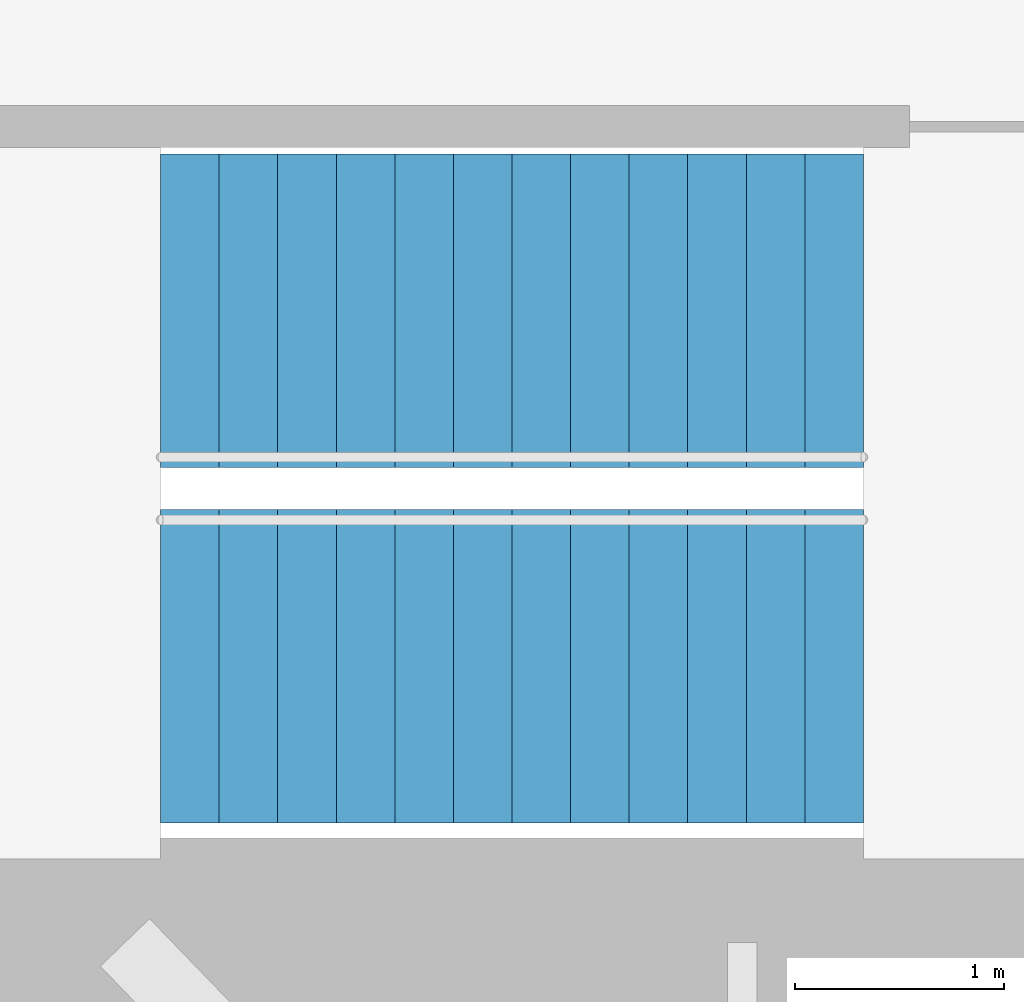
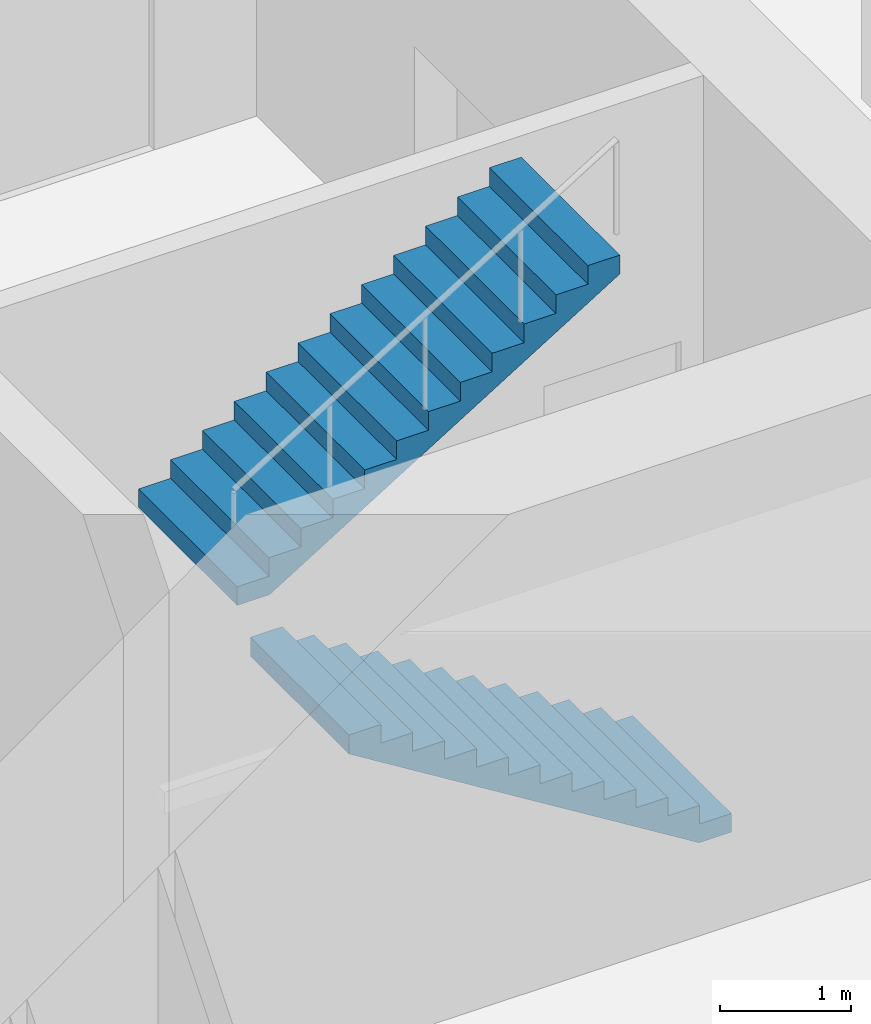
# One storey, part 14 of 15: 2 stair flights, 1 element without a shape of its own.
"""IFC4 building model written with IfcOpenShell, lengths in metres."""

from ifc_helpers import new_model, si_unit, direction, frame, origin, place, context, subcontext, project, spatial, triangles, material, type_object, element, aggregate, save


model = new_model("IFC4")

# Units and contexts
model_context = context("Model", 3, precision=1e-05, world=origin(), true_north=direction((0.0, 1.0)))
body_context = subcontext(model_context, "Body", "Model", "MODEL_VIEW")
ifc_project = project(units=[si_unit("LENGTHUNIT", "METRE"), si_unit("AREAUNIT", "SQUARE_METRE"), si_unit("VOLUMEUNIT", "CUBIC_METRE"), si_unit("PLANEANGLEUNIT", "RADIAN"), si_unit("MASSUNIT", "GRAM", prefix="KILO")], contexts=[model_context])

# Site, building, storey
site_placement = place(None, origin())
site = spatial("IfcSite", under=ifc_project, at=site_placement, CompositionType="ELEMENT")
building_placement = place(site_placement, origin())
building = spatial("IfcBuilding", under=site, at=building_placement, Name="Lantaw Convention Tower", CompositionType="ELEMENT")
storey_placement = place(building_placement, frame((0.0, 0.0, 274.89990234375)))
storey = spatial("IfcBuildingStorey", under=building, at=storey_placement, Name="L64", CompositionType="ELEMENT", Elevation=274.89990234375)

# Stair, stair flights
ifc_material = material(Name="Concrete C35/45", Category="concrete")
stair_type = type_object("IfcStairType", Name="Exit stair 1500 riser 173.08 in 2 flights", PredefinedType="HALF_TURN_STAIR", material=ifc_material)
stair_placement = place(storey_placement, origin())
stair = element("IfcStair", 1, at=stair_placement, inside=storey, type_object=stair_type, Name="Exit stair S2 L64", PredefinedType="HALF_TURN_STAIR")
stair_flight_type = type_object("IfcStairFlightType", Name="Stair flight 1500 riser 173.08", PredefinedType="STRAIGHT", material=ifc_material)
stair_flight_1_placement = place(storey_placement, frame((10.580078125, -5.97998046875, 0.0), z_axis=(0.0, 0.0, 1.0), x_axis=(-1.0, 0.0, 0.0)))
stair_flight_1 = element("IfcStairFlight", 2, at=stair_flight_1_placement, type_object=stair_flight_type, Name="S2 flight 1", NumberOfRisers=13, NumberOfTreads=12, PredefinedType="STRAIGHT", RiserHeight=0.173076923, TreadLength=0.28, context=body_context, shape_type="Tessellation", body=[
    triangles([(0.0, 0.75, 0.0), (0.0, 0.75, 0.173076923), (0.28, 0.75, 0.0), (0.28, 0.75, 0.173076923), (0.28, 0.75, 0.346153846), (0.28509853184261624, 0.75, 0.0), (0.28509853184261624, 0.75, 0.346153846), (0.56, 0.75, 0.16992535798879452), (0.56, 0.75, 0.346153846), (0.56, 0.75, 0.519230769), (0.8400000000000001, 0.75, 0.34300228098879454), (0.8400000000000001, 0.75, 0.519230769), (0.8400000000000001, 0.75, 0.692307692), (1.12, 0.75, 0.5160792039887945), (1.12, 0.75, 0.692307692), (1.12, 0.75, 0.865384615), (1.4000000000000001, 0.75, 0.6891561269887945), (1.4000000000000001, 0.75, 0.865384615), (1.4000000000000001, 0.75, 1.038461538), (1.6800000000000002, 0.75, 0.8622330499887946), (1.6800000000000002, 0.75, 1.038461538), (1.6800000000000002, 0.75, 1.211538461), (1.9600000000000002, 0.75, 1.0353099729887945), (1.9600000000000002, 0.75, 1.211538461), (1.9600000000000002, 0.75, 1.384615384), (2.24, 0.75, 1.2083868959887945), (2.24, 0.75, 1.384615384), (2.24, 0.75, 1.557692307), (2.5200000000000005, 0.75, 1.3814638189887947), (2.5200000000000005, 0.75, 1.557692307), (2.5200000000000005, 0.75, 1.73076923), (2.8000000000000003, 0.75, 1.5545407419887944), (2.8000000000000003, 0.75, 1.73076923), (2.8000000000000003, 0.75, 1.903846153), (3.08, 0.75, 1.7276176649887944), (3.08, 0.75, 1.903846153), (3.08, 0.75, 2.076923076), (3.3600000000000003, 0.75, 1.9006945879887944), (3.3600000000000003, 0.75, 2.076923076), (0.0, -0.75, 0.0), (0.0, -0.75, 0.173076923), (0.28, -0.75, 0.0), (0.28, -0.75, 0.173076923), (0.28, -0.75, 0.346153846), (0.28509853184261624, -0.75, 0.0), (0.28509853184261624, -0.75, 0.346153846), (0.56, -0.75, 0.16992535798879452), (0.56, -0.75, 0.346153846), (0.56, -0.75, 0.519230769), (0.8400000000000001, -0.75, 0.34300228098879454), (0.8400000000000001, -0.75, 0.519230769), (0.8400000000000001, -0.75, 0.692307692), (1.12, -0.75, 0.5160792039887945), (1.12, -0.75, 0.692307692), (1.12, -0.75, 0.865384615), (1.4000000000000001, -0.75, 0.6891561269887945), (1.4000000000000001, -0.75, 0.865384615), (1.4000000000000001, -0.75, 1.038461538), (1.6800000000000002, -0.75, 0.8622330499887946), (1.6800000000000002, -0.75, 1.038461538), (1.6800000000000002, -0.75, 1.211538461), (1.9600000000000002, -0.75, 1.0353099729887945), (1.9600000000000002, -0.75, 1.211538461), (1.9600000000000002, -0.75, 1.384615384), (2.24, -0.75, 1.2083868959887945), (2.24, -0.75, 1.384615384), (2.24, -0.75, 1.557692307), (2.5200000000000005, -0.75, 1.3814638189887947), (2.5200000000000005, -0.75, 1.557692307), (2.5200000000000005, -0.75, 1.73076923), (2.8000000000000003, -0.75, 1.5545407419887944), (2.8000000000000003, -0.75, 1.73076923), (2.8000000000000003, -0.75, 1.903846153), (3.08, -0.75, 1.7276176649887944), (3.08, -0.75, 1.903846153), (3.08, -0.75, 2.076923076), (3.3600000000000003, -0.75, 1.9006945879887944), (3.3600000000000003, -0.75, 2.076923076), (0.0, 0.15000000000000002, 0.173076923), (0.0, 0.15000000000000002, 0.0), (0.0, 0.0, 0.173076923), (0.0, 0.0, 0.0), (0.0, -0.15000000000000002, 0.173076923), (0.0, -0.15000000000000002, 0.0), (0.28, 0.15000000000000002, 0.346153846), (0.28, 0.15000000000000002, 0.173076923), (0.28, 0.0, 0.346153846), (0.28, 0.0, 0.173076923), (0.28, -0.15000000000000002, 0.346153846), (0.28, -0.15000000000000002, 0.173076923), (0.56, 0.15000000000000002, 0.519230769), (0.56, 0.15000000000000002, 0.346153846), (0.56, 0.0, 0.519230769), (0.56, 0.0, 0.346153846), (0.56, -0.15000000000000002, 0.519230769), (0.56, -0.15000000000000002, 0.346153846), (0.8400000000000001, 0.15000000000000002, 0.692307692), (0.8400000000000001, 0.15000000000000002, 0.519230769), (0.8400000000000001, 0.0, 0.692307692), (0.8400000000000001, 0.0, 0.519230769), (0.8400000000000001, -0.15000000000000002, 0.692307692), (0.8400000000000001, -0.15000000000000002, 0.519230769), (1.12, 0.15000000000000002, 0.865384615), (1.12, 0.15000000000000002, 0.692307692), (1.12, 0.0, 0.865384615), (1.12, 0.0, 0.692307692), (1.12, -0.15000000000000002, 0.865384615), (1.12, -0.15000000000000002, 0.692307692), (1.4000000000000001, 0.15000000000000002, 1.038461538), (1.4000000000000001, 0.15000000000000002, 0.865384615), (1.4000000000000001, 0.0, 1.038461538), (1.4000000000000001, 0.0, 0.865384615), (1.4000000000000001, -0.15000000000000002, 1.038461538), (1.4000000000000001, -0.15000000000000002, 0.865384615), (1.6800000000000002, 0.15000000000000002, 1.211538461), (1.6800000000000002, 0.15000000000000002, 1.038461538), (1.6800000000000002, 0.0, 1.211538461), (1.6800000000000002, 0.0, 1.038461538), (1.6800000000000002, -0.15000000000000002, 1.211538461), (1.6800000000000002, -0.15000000000000002, 1.038461538), (1.9600000000000002, 0.15000000000000002, 1.384615384), (1.9600000000000002, 0.15000000000000002, 1.211538461), (1.9600000000000002, 0.0, 1.384615384), (1.9600000000000002, 0.0, 1.211538461), (1.9600000000000002, -0.15000000000000002, 1.384615384), (1.9600000000000002, -0.15000000000000002, 1.211538461), (2.24, 0.15000000000000002, 1.557692307), (2.24, 0.15000000000000002, 1.384615384), (2.24, 0.0, 1.557692307), (2.24, 0.0, 1.384615384), (2.24, -0.15000000000000002, 1.557692307), (2.24, -0.15000000000000002, 1.384615384), (2.5200000000000005, 0.15000000000000002, 1.73076923), (2.5200000000000005, 0.15000000000000002, 1.557692307), (2.5200000000000005, 0.0, 1.73076923), (2.5200000000000005, 0.0, 1.557692307), (2.5200000000000005, -0.15000000000000002, 1.73076923), (2.5200000000000005, -0.15000000000000002, 1.557692307), (2.8000000000000003, 0.15000000000000002, 1.903846153), (2.8000000000000003, 0.15000000000000002, 1.73076923), (2.8000000000000003, 0.0, 1.903846153), (2.8000000000000003, 0.0, 1.73076923), (2.8000000000000003, -0.15000000000000002, 1.903846153), (2.8000000000000003, -0.15000000000000002, 1.73076923), (3.08, 0.15000000000000002, 2.076923076), (3.08, 0.15000000000000002, 1.903846153), (3.08, 0.0, 2.076923076), (3.08, 0.0, 1.903846153), (3.08, -0.15000000000000002, 2.076923076), (3.08, -0.15000000000000002, 1.903846153), (0.28509853184261624, 0.15000000000000002, 0.346153846), (0.28509853184261624, 0.0, 0.346153846), (0.28509853184261624, -0.15000000000000002, 0.346153846), (3.3600000000000003, 0.15000000000000002, 2.076923076), (3.3600000000000003, 0.0, 2.076923076), (3.3600000000000003, -0.15000000000000002, 2.076923076), (3.3600000000000003, 0.15000000000000002, 1.9006945879887942), (3.3600000000000003, 0.0, 1.9006945879887942), (3.3600000000000003, -0.15000000000000002, 1.9006945879887942), (3.08, 0.15000000000000002, 1.7276176649887944), (3.08, 0.0, 1.7276176649887944), (3.08, -0.15000000000000002, 1.7276176649887944), (2.8000000000000003, 0.15000000000000002, 1.5545407419887944), (2.8000000000000003, 0.0, 1.5545407419887944), (2.8000000000000003, -0.15000000000000002, 1.5545407419887944), (2.5200000000000005, 0.15000000000000002, 1.3814638189887947), (2.5200000000000005, 0.0, 1.3814638189887947), (2.5200000000000005, -0.15000000000000002, 1.3814638189887947), (2.24, 0.15000000000000002, 1.2083868959887945), (2.24, 0.0, 1.2083868959887945), (2.24, -0.15000000000000002, 1.2083868959887945), (1.9600000000000002, 0.15000000000000002, 1.0353099729887945), (1.9600000000000002, 0.0, 1.0353099729887945), (1.9600000000000002, -0.15000000000000002, 1.0353099729887945), (1.6800000000000002, 0.15000000000000002, 0.8622330499887946), (1.6800000000000002, 0.0, 0.8622330499887946), (1.6800000000000002, -0.15000000000000002, 0.8622330499887946), (1.4000000000000001, 0.15000000000000002, 0.6891561269887945), (1.4000000000000001, 0.0, 0.6891561269887945), (1.4000000000000001, -0.15000000000000002, 0.6891561269887945), (1.12, 0.15000000000000002, 0.5160792039887945), (1.12, 0.0, 0.5160792039887945), (1.12, -0.15000000000000002, 0.5160792039887945), (0.8400000000000001, 0.15000000000000002, 0.34300228098879454), (0.8400000000000001, 0.0, 0.34300228098879454), (0.8400000000000001, -0.15000000000000002, 0.34300228098879454), (0.56, 0.15000000000000002, 0.16992535798879452), (0.56, 0.0, 0.16992535798879452), (0.56, -0.15000000000000002, 0.16992535798879452), (0.28509853184261624, 0.15000000000000002, 0.0), (0.28509853184261624, 0.0, 0.0), (0.28509853184261624, -0.15000000000000002, 0.0), (0.28, 0.15000000000000002, 0.0), (0.28, 0.0, 0.0), (0.28, -0.15000000000000002, 0.0)], [[1, 4, 3], [1, 2, 4], [3, 4, 6], [4, 7, 6], [4, 5, 7], [6, 9, 8], [6, 7, 9], [8, 9, 11], [9, 12, 11], [9, 10, 12], [11, 12, 14], [12, 15, 14], [12, 13, 15], [14, 15, 17], [15, 18, 17], [15, 16, 18], [17, 18, 20], [18, 21, 20], [18, 19, 21], [20, 21, 23], [21, 24, 23], [21, 22, 24], [23, 24, 26], [24, 27, 26], [24, 25, 27], [26, 27, 29], [27, 30, 29], [27, 28, 30], [29, 30, 32], [30, 33, 32], [30, 31, 33], [32, 33, 35], [33, 36, 35], [33, 34, 36], [35, 36, 38], [36, 39, 38], [36, 37, 39], [40, 42, 43], [40, 43, 41], [42, 45, 43], [43, 45, 46], [43, 46, 44], [45, 47, 48], [45, 48, 46], [47, 50, 48], [48, 50, 51], [48, 51, 49], [50, 53, 51], [51, 53, 54], [51, 54, 52], [53, 56, 54], [54, 56, 57], [54, 57, 55], [56, 59, 57], [57, 59, 60], [57, 60, 58], [59, 62, 60], [60, 62, 63], [60, 63, 61], [62, 65, 63], [63, 65, 66], [63, 66, 64], [65, 68, 66], [66, 68, 69], [66, 69, 67], [68, 71, 69], [69, 71, 72], [69, 72, 70], [71, 74, 72], [72, 74, 75], [72, 75, 73], [74, 77, 75], [75, 77, 78], [75, 78, 76], [1, 79, 2], [1, 80, 79], [80, 81, 79], [80, 82, 81], [82, 83, 81], [82, 84, 83], [84, 41, 83], [84, 40, 41], [4, 85, 5], [4, 86, 85], [86, 87, 85], [86, 88, 87], [88, 89, 87], [88, 90, 89], [90, 44, 89], [90, 43, 44], [9, 91, 10], [9, 92, 91], [92, 93, 91], [92, 94, 93], [94, 95, 93], [94, 96, 95], [96, 49, 95], [96, 48, 49], [12, 97, 13], [12, 98, 97], [98, 99, 97], [98, 100, 99], [100, 101, 99], [100, 102, 101], [102, 52, 101], [102, 51, 52], [15, 103, 16], [15, 104, 103], [104, 105, 103], [104, 106, 105], [106, 107, 105], [106, 108, 107], [108, 55, 107], [108, 54, 55], [18, 109, 19], [18, 110, 109], [110, 111, 109], [110, 112, 111], [112, 113, 111], [112, 114, 113], [114, 58, 113], [114, 57, 58], [21, 115, 22], [21, 116, 115], [116, 117, 115], [116, 118, 117], [118, 119, 117], [118, 120, 119], [120, 61, 119], [120, 60, 61], [24, 121, 25], [24, 122, 121], [122, 123, 121], [122, 124, 123], [124, 125, 123], [124, 126, 125], [126, 64, 125], [126, 63, 64], [27, 127, 28], [27, 128, 127], [128, 129, 127], [128, 130, 129], [130, 131, 129], [130, 132, 131], [132, 67, 131], [132, 66, 67], [30, 133, 31], [30, 134, 133], [134, 135, 133], [134, 136, 135], [136, 137, 135], [136, 138, 137], [138, 70, 137], [138, 69, 70], [33, 139, 34], [33, 140, 139], [140, 141, 139], [140, 142, 141], [142, 143, 141], [142, 144, 143], [144, 73, 143], [144, 72, 73], [36, 145, 37], [36, 146, 145], [146, 147, 145], [146, 148, 147], [148, 149, 147], [148, 150, 149], [150, 76, 149], [150, 75, 76], [2, 86, 4], [2, 79, 86], [79, 88, 86], [79, 81, 88], [81, 90, 88], [81, 83, 90], [83, 43, 90], [83, 41, 43], [5, 151, 7], [5, 85, 151], [85, 152, 151], [85, 87, 152], [87, 153, 152], [87, 89, 153], [89, 46, 153], [89, 44, 46], [7, 92, 9], [7, 151, 92], [151, 94, 92], [151, 152, 94], [152, 96, 94], [152, 153, 96], [153, 48, 96], [153, 46, 48], [10, 98, 12], [10, 91, 98], [91, 100, 98], [91, 93, 100], [93, 102, 100], [93, 95, 102], [95, 51, 102], [95, 49, 51], [13, 104, 15], [13, 97, 104], [97, 106, 104], [97, 99, 106], [99, 108, 106], [99, 101, 108], [101, 54, 108], [101, 52, 54], [16, 110, 18], [16, 103, 110], [103, 112, 110], [103, 105, 112], [105, 114, 112], [105, 107, 114], [107, 57, 114], [107, 55, 57], [19, 116, 21], [19, 109, 116], [109, 118, 116], [109, 111, 118], [111, 120, 118], [111, 113, 120], [113, 60, 120], [113, 58, 60], [22, 122, 24], [22, 115, 122], [115, 124, 122], [115, 117, 124], [117, 126, 124], [117, 119, 126], [119, 63, 126], [119, 61, 63], [25, 128, 27], [25, 121, 128], [121, 130, 128], [121, 123, 130], [123, 132, 130], [123, 125, 132], [125, 66, 132], [125, 64, 66], [28, 134, 30], [28, 127, 134], [127, 136, 134], [127, 129, 136], [129, 138, 136], [129, 131, 138], [131, 69, 138], [131, 67, 69], [31, 140, 33], [31, 133, 140], [133, 142, 140], [133, 135, 142], [135, 144, 142], [135, 137, 144], [137, 72, 144], [137, 70, 72], [34, 146, 36], [34, 139, 146], [139, 148, 146], [139, 141, 148], [141, 150, 148], [141, 143, 150], [143, 75, 150], [143, 73, 75], [37, 154, 39], [37, 145, 154], [145, 155, 154], [145, 147, 155], [147, 156, 155], [147, 149, 156], [149, 78, 156], [149, 76, 78], [39, 157, 38], [39, 154, 157], [154, 158, 157], [154, 155, 158], [155, 159, 158], [155, 156, 159], [156, 77, 159], [156, 78, 77], [38, 160, 35], [38, 157, 160], [157, 161, 160], [157, 158, 161], [158, 162, 161], [158, 159, 162], [159, 74, 162], [159, 77, 74], [35, 163, 32], [35, 160, 163], [160, 164, 163], [160, 161, 164], [161, 165, 164], [161, 162, 165], [162, 71, 165], [162, 74, 71], [32, 166, 29], [32, 163, 166], [163, 167, 166], [163, 164, 167], [164, 168, 167], [164, 165, 168], [165, 68, 168], [165, 71, 68], [29, 169, 26], [29, 166, 169], [166, 170, 169], [166, 167, 170], [167, 171, 170], [167, 168, 171], [168, 65, 171], [168, 68, 65], [26, 172, 23], [26, 169, 172], [169, 173, 172], [169, 170, 173], [170, 174, 173], [170, 171, 174], [171, 62, 174], [171, 65, 62], [23, 175, 20], [23, 172, 175], [172, 176, 175], [172, 173, 176], [173, 177, 176], [173, 174, 177], [174, 59, 177], [174, 62, 59], [20, 178, 17], [20, 175, 178], [175, 179, 178], [175, 176, 179], [176, 180, 179], [176, 177, 180], [177, 56, 180], [177, 59, 56], [17, 181, 14], [17, 178, 181], [178, 182, 181], [178, 179, 182], [179, 183, 182], [179, 180, 183], [180, 53, 183], [180, 56, 53], [14, 184, 11], [14, 181, 184], [181, 185, 184], [181, 182, 185], [182, 186, 185], [182, 183, 186], [183, 50, 186], [183, 53, 50], [11, 187, 8], [11, 184, 187], [184, 188, 187], [184, 185, 188], [185, 189, 188], [185, 186, 189], [186, 47, 189], [186, 50, 47], [8, 190, 6], [8, 187, 190], [187, 191, 190], [187, 188, 191], [188, 192, 191], [188, 189, 192], [189, 45, 192], [189, 47, 45], [6, 193, 3], [6, 190, 193], [190, 194, 193], [190, 191, 194], [191, 195, 194], [191, 192, 195], [192, 42, 195], [192, 45, 42], [3, 80, 1], [3, 193, 80], [193, 82, 80], [193, 194, 82], [194, 84, 82], [194, 195, 84], [195, 40, 84], [195, 42, 40]], closed=True),
])
stair_flight_2_placement = place(storey_placement, frame((7.219970703125, -4.280029296875, 2.25), z_axis=(0.0, 0.0, 1.0), x_axis=(1.0, 0.0, 0.0)))
stair_flight_2 = element("IfcStairFlight", 3, at=stair_flight_2_placement, type_object=stair_flight_type, Name="S2 flight 2", NumberOfRisers=13, NumberOfTreads=12, PredefinedType="STRAIGHT", RiserHeight=0.173076923, TreadLength=0.28, context=body_context, shape_type="Tessellation", body=[
    triangles([(0.0, 0.75, 0.0), (0.0, 0.75, 0.173076923), (0.28, 0.75, 0.0), (0.28, 0.75, 0.173076923), (0.28, 0.75, 0.346153846), (0.28509853184261624, 0.75, 0.0), (0.28509853184261624, 0.75, 0.346153846), (0.56, 0.75, 0.16992535798879452), (0.56, 0.75, 0.346153846), (0.56, 0.75, 0.519230769), (0.8400000000000001, 0.75, 0.34300228098879454), (0.8400000000000001, 0.75, 0.519230769), (0.8400000000000001, 0.75, 0.692307692), (1.12, 0.75, 0.5160792039887945), (1.12, 0.75, 0.692307692), (1.12, 0.75, 0.865384615), (1.4000000000000001, 0.75, 0.6891561269887945), (1.4000000000000001, 0.75, 0.865384615), (1.4000000000000001, 0.75, 1.038461538), (1.6800000000000002, 0.75, 0.8622330499887946), (1.6800000000000002, 0.75, 1.038461538), (1.6800000000000002, 0.75, 1.211538461), (1.9600000000000002, 0.75, 1.0353099729887945), (1.9600000000000002, 0.75, 1.211538461), (1.9600000000000002, 0.75, 1.384615384), (2.24, 0.75, 1.2083868959887945), (2.24, 0.75, 1.384615384), (2.24, 0.75, 1.557692307), (2.5200000000000005, 0.75, 1.3814638189887947), (2.5200000000000005, 0.75, 1.557692307), (2.5200000000000005, 0.75, 1.73076923), (2.8000000000000003, 0.75, 1.5545407419887944), (2.8000000000000003, 0.75, 1.73076923), (2.8000000000000003, 0.75, 1.903846153), (3.08, 0.75, 1.7276176649887944), (3.08, 0.75, 1.903846153), (3.08, 0.75, 2.076923076), (3.3600000000000003, 0.75, 1.9006945879887944), (3.3600000000000003, 0.75, 2.076923076), (0.0, -0.75, 0.0), (0.0, -0.75, 0.173076923), (0.28, -0.75, 0.0), (0.28, -0.75, 0.173076923), (0.28, -0.75, 0.346153846), (0.28509853184261624, -0.75, 0.0), (0.28509853184261624, -0.75, 0.346153846), (0.56, -0.75, 0.16992535798879452), (0.56, -0.75, 0.346153846), (0.56, -0.75, 0.519230769), (0.8400000000000001, -0.75, 0.34300228098879454), (0.8400000000000001, -0.75, 0.519230769), (0.8400000000000001, -0.75, 0.692307692), (1.12, -0.75, 0.5160792039887945), (1.12, -0.75, 0.692307692), (1.12, -0.75, 0.865384615), (1.4000000000000001, -0.75, 0.6891561269887945), (1.4000000000000001, -0.75, 0.865384615), (1.4000000000000001, -0.75, 1.038461538), (1.6800000000000002, -0.75, 0.8622330499887946), (1.6800000000000002, -0.75, 1.038461538), (1.6800000000000002, -0.75, 1.211538461), (1.9600000000000002, -0.75, 1.0353099729887945), (1.9600000000000002, -0.75, 1.211538461), (1.9600000000000002, -0.75, 1.384615384), (2.24, -0.75, 1.2083868959887945), (2.24, -0.75, 1.384615384), (2.24, -0.75, 1.557692307), (2.5200000000000005, -0.75, 1.3814638189887947), (2.5200000000000005, -0.75, 1.557692307), (2.5200000000000005, -0.75, 1.73076923), (2.8000000000000003, -0.75, 1.5545407419887944), (2.8000000000000003, -0.75, 1.73076923), (2.8000000000000003, -0.75, 1.903846153), (3.08, -0.75, 1.7276176649887944), (3.08, -0.75, 1.903846153), (3.08, -0.75, 2.076923076), (3.3600000000000003, -0.75, 1.9006945879887944), (3.3600000000000003, -0.75, 2.076923076), (0.0, 0.15000000000000002, 0.173076923), (0.0, 0.15000000000000002, 0.0), (0.0, 0.0, 0.173076923), (0.0, 0.0, 0.0), (0.0, -0.15000000000000002, 0.173076923), (0.0, -0.15000000000000002, 0.0), (0.28, 0.15000000000000002, 0.346153846), (0.28, 0.15000000000000002, 0.173076923), (0.28, 0.0, 0.346153846), (0.28, 0.0, 0.173076923), (0.28, -0.15000000000000002, 0.346153846), (0.28, -0.15000000000000002, 0.173076923), (0.56, 0.15000000000000002, 0.519230769), (0.56, 0.15000000000000002, 0.346153846), (0.56, 0.0, 0.519230769), (0.56, 0.0, 0.346153846), (0.56, -0.15000000000000002, 0.519230769), (0.56, -0.15000000000000002, 0.346153846), (0.8400000000000001, 0.15000000000000002, 0.692307692), (0.8400000000000001, 0.15000000000000002, 0.519230769), (0.8400000000000001, 0.0, 0.692307692), (0.8400000000000001, 0.0, 0.519230769), (0.8400000000000001, -0.15000000000000002, 0.692307692), (0.8400000000000001, -0.15000000000000002, 0.519230769), (1.12, 0.15000000000000002, 0.865384615), (1.12, 0.15000000000000002, 0.692307692), (1.12, 0.0, 0.865384615), (1.12, 0.0, 0.692307692), (1.12, -0.15000000000000002, 0.865384615), (1.12, -0.15000000000000002, 0.692307692), (1.4000000000000001, 0.15000000000000002, 1.038461538), (1.4000000000000001, 0.15000000000000002, 0.865384615), (1.4000000000000001, 0.0, 1.038461538), (1.4000000000000001, 0.0, 0.865384615), (1.4000000000000001, -0.15000000000000002, 1.038461538), (1.4000000000000001, -0.15000000000000002, 0.865384615), (1.6800000000000002, 0.15000000000000002, 1.211538461), (1.6800000000000002, 0.15000000000000002, 1.038461538), (1.6800000000000002, 0.0, 1.211538461), (1.6800000000000002, 0.0, 1.038461538), (1.6800000000000002, -0.15000000000000002, 1.211538461), (1.6800000000000002, -0.15000000000000002, 1.038461538), (1.9600000000000002, 0.15000000000000002, 1.384615384), (1.9600000000000002, 0.15000000000000002, 1.211538461), (1.9600000000000002, 0.0, 1.384615384), (1.9600000000000002, 0.0, 1.211538461), (1.9600000000000002, -0.15000000000000002, 1.384615384), (1.9600000000000002, -0.15000000000000002, 1.211538461), (2.24, 0.15000000000000002, 1.557692307), (2.24, 0.15000000000000002, 1.384615384), (2.24, 0.0, 1.557692307), (2.24, 0.0, 1.384615384), (2.24, -0.15000000000000002, 1.557692307), (2.24, -0.15000000000000002, 1.384615384), (2.5200000000000005, 0.15000000000000002, 1.73076923), (2.5200000000000005, 0.15000000000000002, 1.557692307), (2.5200000000000005, 0.0, 1.73076923), (2.5200000000000005, 0.0, 1.557692307), (2.5200000000000005, -0.15000000000000002, 1.73076923), (2.5200000000000005, -0.15000000000000002, 1.557692307), (2.8000000000000003, 0.15000000000000002, 1.903846153), (2.8000000000000003, 0.15000000000000002, 1.73076923), (2.8000000000000003, 0.0, 1.903846153), (2.8000000000000003, 0.0, 1.73076923), (2.8000000000000003, -0.15000000000000002, 1.903846153), (2.8000000000000003, -0.15000000000000002, 1.73076923), (3.08, 0.15000000000000002, 2.076923076), (3.08, 0.15000000000000002, 1.903846153), (3.08, 0.0, 2.076923076), (3.08, 0.0, 1.903846153), (3.08, -0.15000000000000002, 2.076923076), (3.08, -0.15000000000000002, 1.903846153), (0.28509853184261624, 0.15000000000000002, 0.346153846), (0.28509853184261624, 0.0, 0.346153846), (0.28509853184261624, -0.15000000000000002, 0.346153846), (3.3600000000000003, 0.15000000000000002, 2.076923076), (3.3600000000000003, 0.0, 2.076923076), (3.3600000000000003, -0.15000000000000002, 2.076923076), (3.3600000000000003, 0.15000000000000002, 1.9006945879887942), (3.3600000000000003, 0.0, 1.9006945879887942), (3.3600000000000003, -0.15000000000000002, 1.9006945879887942), (3.08, 0.15000000000000002, 1.7276176649887944), (3.08, 0.0, 1.7276176649887944), (3.08, -0.15000000000000002, 1.7276176649887944), (2.8000000000000003, 0.15000000000000002, 1.5545407419887944), (2.8000000000000003, 0.0, 1.5545407419887944), (2.8000000000000003, -0.15000000000000002, 1.5545407419887944), (2.5200000000000005, 0.15000000000000002, 1.3814638189887947), (2.5200000000000005, 0.0, 1.3814638189887947), (2.5200000000000005, -0.15000000000000002, 1.3814638189887947), (2.24, 0.15000000000000002, 1.2083868959887945), (2.24, 0.0, 1.2083868959887945), (2.24, -0.15000000000000002, 1.2083868959887945), (1.9600000000000002, 0.15000000000000002, 1.0353099729887945), (1.9600000000000002, 0.0, 1.0353099729887945), (1.9600000000000002, -0.15000000000000002, 1.0353099729887945), (1.6800000000000002, 0.15000000000000002, 0.8622330499887946), (1.6800000000000002, 0.0, 0.8622330499887946), (1.6800000000000002, -0.15000000000000002, 0.8622330499887946), (1.4000000000000001, 0.15000000000000002, 0.6891561269887945), (1.4000000000000001, 0.0, 0.6891561269887945), (1.4000000000000001, -0.15000000000000002, 0.6891561269887945), (1.12, 0.15000000000000002, 0.5160792039887945), (1.12, 0.0, 0.5160792039887945), (1.12, -0.15000000000000002, 0.5160792039887945), (0.8400000000000001, 0.15000000000000002, 0.34300228098879454), (0.8400000000000001, 0.0, 0.34300228098879454), (0.8400000000000001, -0.15000000000000002, 0.34300228098879454), (0.56, 0.15000000000000002, 0.16992535798879452), (0.56, 0.0, 0.16992535798879452), (0.56, -0.15000000000000002, 0.16992535798879452), (0.28509853184261624, 0.15000000000000002, 0.0), (0.28509853184261624, 0.0, 0.0), (0.28509853184261624, -0.15000000000000002, 0.0), (0.28, 0.15000000000000002, 0.0), (0.28, 0.0, 0.0), (0.28, -0.15000000000000002, 0.0)], [[1, 4, 3], [1, 2, 4], [3, 4, 6], [4, 7, 6], [4, 5, 7], [6, 9, 8], [6, 7, 9], [8, 9, 11], [9, 12, 11], [9, 10, 12], [11, 12, 14], [12, 15, 14], [12, 13, 15], [14, 15, 17], [15, 18, 17], [15, 16, 18], [17, 18, 20], [18, 21, 20], [18, 19, 21], [20, 21, 23], [21, 24, 23], [21, 22, 24], [23, 24, 26], [24, 27, 26], [24, 25, 27], [26, 27, 29], [27, 30, 29], [27, 28, 30], [29, 30, 32], [30, 33, 32], [30, 31, 33], [32, 33, 35], [33, 36, 35], [33, 34, 36], [35, 36, 38], [36, 39, 38], [36, 37, 39], [40, 42, 43], [40, 43, 41], [42, 45, 43], [43, 45, 46], [43, 46, 44], [45, 47, 48], [45, 48, 46], [47, 50, 48], [48, 50, 51], [48, 51, 49], [50, 53, 51], [51, 53, 54], [51, 54, 52], [53, 56, 54], [54, 56, 57], [54, 57, 55], [56, 59, 57], [57, 59, 60], [57, 60, 58], [59, 62, 60], [60, 62, 63], [60, 63, 61], [62, 65, 63], [63, 65, 66], [63, 66, 64], [65, 68, 66], [66, 68, 69], [66, 69, 67], [68, 71, 69], [69, 71, 72], [69, 72, 70], [71, 74, 72], [72, 74, 75], [72, 75, 73], [74, 77, 75], [75, 77, 78], [75, 78, 76], [1, 79, 2], [1, 80, 79], [80, 81, 79], [80, 82, 81], [82, 83, 81], [82, 84, 83], [84, 41, 83], [84, 40, 41], [4, 85, 5], [4, 86, 85], [86, 87, 85], [86, 88, 87], [88, 89, 87], [88, 90, 89], [90, 44, 89], [90, 43, 44], [9, 91, 10], [9, 92, 91], [92, 93, 91], [92, 94, 93], [94, 95, 93], [94, 96, 95], [96, 49, 95], [96, 48, 49], [12, 97, 13], [12, 98, 97], [98, 99, 97], [98, 100, 99], [100, 101, 99], [100, 102, 101], [102, 52, 101], [102, 51, 52], [15, 103, 16], [15, 104, 103], [104, 105, 103], [104, 106, 105], [106, 107, 105], [106, 108, 107], [108, 55, 107], [108, 54, 55], [18, 109, 19], [18, 110, 109], [110, 111, 109], [110, 112, 111], [112, 113, 111], [112, 114, 113], [114, 58, 113], [114, 57, 58], [21, 115, 22], [21, 116, 115], [116, 117, 115], [116, 118, 117], [118, 119, 117], [118, 120, 119], [120, 61, 119], [120, 60, 61], [24, 121, 25], [24, 122, 121], [122, 123, 121], [122, 124, 123], [124, 125, 123], [124, 126, 125], [126, 64, 125], [126, 63, 64], [27, 127, 28], [27, 128, 127], [128, 129, 127], [128, 130, 129], [130, 131, 129], [130, 132, 131], [132, 67, 131], [132, 66, 67], [30, 133, 31], [30, 134, 133], [134, 135, 133], [134, 136, 135], [136, 137, 135], [136, 138, 137], [138, 70, 137], [138, 69, 70], [33, 139, 34], [33, 140, 139], [140, 141, 139], [140, 142, 141], [142, 143, 141], [142, 144, 143], [144, 73, 143], [144, 72, 73], [36, 145, 37], [36, 146, 145], [146, 147, 145], [146, 148, 147], [148, 149, 147], [148, 150, 149], [150, 76, 149], [150, 75, 76], [2, 86, 4], [2, 79, 86], [79, 88, 86], [79, 81, 88], [81, 90, 88], [81, 83, 90], [83, 43, 90], [83, 41, 43], [5, 151, 7], [5, 85, 151], [85, 152, 151], [85, 87, 152], [87, 153, 152], [87, 89, 153], [89, 46, 153], [89, 44, 46], [7, 92, 9], [7, 151, 92], [151, 94, 92], [151, 152, 94], [152, 96, 94], [152, 153, 96], [153, 48, 96], [153, 46, 48], [10, 98, 12], [10, 91, 98], [91, 100, 98], [91, 93, 100], [93, 102, 100], [93, 95, 102], [95, 51, 102], [95, 49, 51], [13, 104, 15], [13, 97, 104], [97, 106, 104], [97, 99, 106], [99, 108, 106], [99, 101, 108], [101, 54, 108], [101, 52, 54], [16, 110, 18], [16, 103, 110], [103, 112, 110], [103, 105, 112], [105, 114, 112], [105, 107, 114], [107, 57, 114], [107, 55, 57], [19, 116, 21], [19, 109, 116], [109, 118, 116], [109, 111, 118], [111, 120, 118], [111, 113, 120], [113, 60, 120], [113, 58, 60], [22, 122, 24], [22, 115, 122], [115, 124, 122], [115, 117, 124], [117, 126, 124], [117, 119, 126], [119, 63, 126], [119, 61, 63], [25, 128, 27], [25, 121, 128], [121, 130, 128], [121, 123, 130], [123, 132, 130], [123, 125, 132], [125, 66, 132], [125, 64, 66], [28, 134, 30], [28, 127, 134], [127, 136, 134], [127, 129, 136], [129, 138, 136], [129, 131, 138], [131, 69, 138], [131, 67, 69], [31, 140, 33], [31, 133, 140], [133, 142, 140], [133, 135, 142], [135, 144, 142], [135, 137, 144], [137, 72, 144], [137, 70, 72], [34, 146, 36], [34, 139, 146], [139, 148, 146], [139, 141, 148], [141, 150, 148], [141, 143, 150], [143, 75, 150], [143, 73, 75], [37, 154, 39], [37, 145, 154], [145, 155, 154], [145, 147, 155], [147, 156, 155], [147, 149, 156], [149, 78, 156], [149, 76, 78], [39, 157, 38], [39, 154, 157], [154, 158, 157], [154, 155, 158], [155, 159, 158], [155, 156, 159], [156, 77, 159], [156, 78, 77], [38, 160, 35], [38, 157, 160], [157, 161, 160], [157, 158, 161], [158, 162, 161], [158, 159, 162], [159, 74, 162], [159, 77, 74], [35, 163, 32], [35, 160, 163], [160, 164, 163], [160, 161, 164], [161, 165, 164], [161, 162, 165], [162, 71, 165], [162, 74, 71], [32, 166, 29], [32, 163, 166], [163, 167, 166], [163, 164, 167], [164, 168, 167], [164, 165, 168], [165, 68, 168], [165, 71, 68], [29, 169, 26], [29, 166, 169], [166, 170, 169], [166, 167, 170], [167, 171, 170], [167, 168, 171], [168, 65, 171], [168, 68, 65], [26, 172, 23], [26, 169, 172], [169, 173, 172], [169, 170, 173], [170, 174, 173], [170, 171, 174], [171, 62, 174], [171, 65, 62], [23, 175, 20], [23, 172, 175], [172, 176, 175], [172, 173, 176], [173, 177, 176], [173, 174, 177], [174, 59, 177], [174, 62, 59], [20, 178, 17], [20, 175, 178], [175, 179, 178], [175, 176, 179], [176, 180, 179], [176, 177, 180], [177, 56, 180], [177, 59, 56], [17, 181, 14], [17, 178, 181], [178, 182, 181], [178, 179, 182], [179, 183, 182], [179, 180, 183], [180, 53, 183], [180, 56, 53], [14, 184, 11], [14, 181, 184], [181, 185, 184], [181, 182, 185], [182, 186, 185], [182, 183, 186], [183, 50, 186], [183, 53, 50], [11, 187, 8], [11, 184, 187], [184, 188, 187], [184, 185, 188], [185, 189, 188], [185, 186, 189], [186, 47, 189], [186, 50, 47], [8, 190, 6], [8, 187, 190], [187, 191, 190], [187, 188, 191], [188, 192, 191], [188, 189, 192], [189, 45, 192], [189, 47, 45], [6, 193, 3], [6, 190, 193], [190, 194, 193], [190, 191, 194], [191, 195, 194], [191, 192, 195], [192, 42, 195], [192, 45, 42], [3, 80, 1], [3, 193, 80], [193, 82, 80], [193, 194, 82], [194, 84, 82], [194, 195, 84], [195, 40, 84], [195, 42, 40]], closed=True),
])
aggregate(stair, [stair_flight_1, stair_flight_2])

save(model, "model.ifc")
